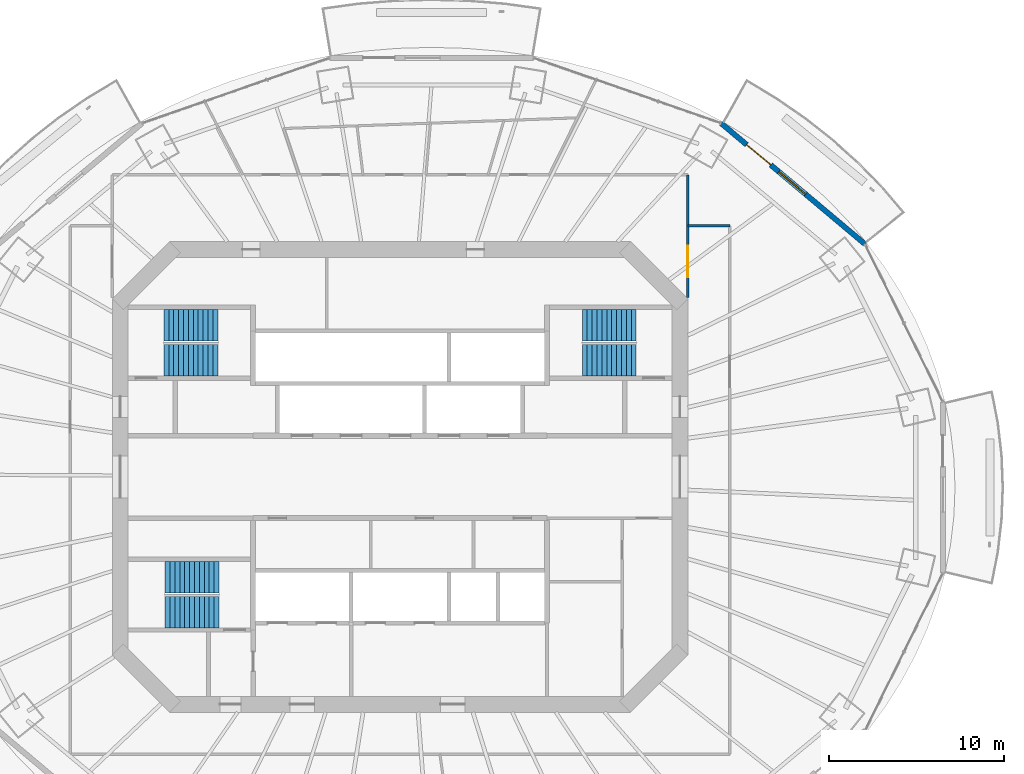
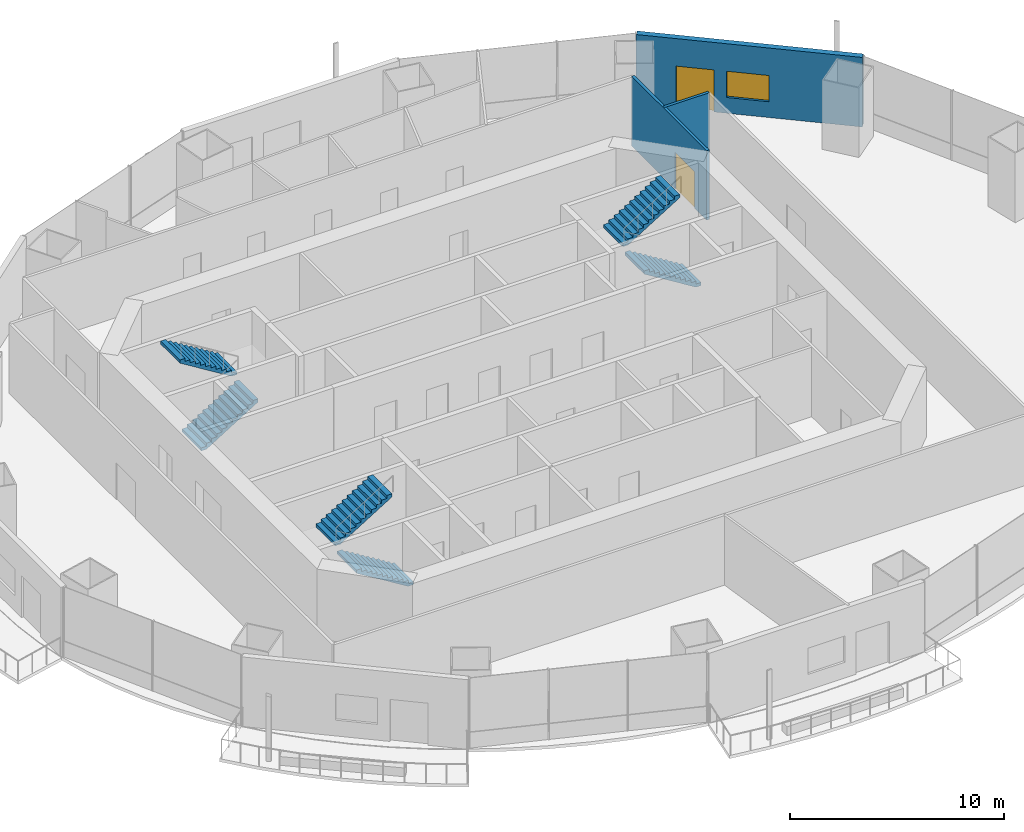
# One storey, part 13 of 19: 6 stair flights, 3 walls, 2 doors, 1 window, 3 openings, 3 elements without a shape of their own.
"""IFC4 building model written with IfcOpenShell, lengths in metres."""

from ifc_helpers import new_model, si_unit, direction, frame, frame_2d, origin, place, context, subcontext, project, spatial, polyline, rectangle, outline, extrude, material, layer, layer_set, type_object, element, fill, aggregate, save


model = new_model("IFC4")

# Units and contexts
model_context = context("Model", 3, precision=1e-05, world=origin(), true_north=direction((0.0, 1.0)))
body_context = subcontext(model_context, "Body", "Model", "MODEL_VIEW")
ifc_project = project(units=[si_unit("LENGTHUNIT", "METRE"), si_unit("AREAUNIT", "SQUARE_METRE"), si_unit("VOLUMEUNIT", "CUBIC_METRE"), si_unit("PLANEANGLEUNIT", "RADIAN"), si_unit("MASSUNIT", "GRAM", prefix="KILO")], contexts=[model_context])

# Site, building, storey
site_placement = place(None, origin())
site = spatial("IfcSite", under=ifc_project, at=site_placement, CompositionType="ELEMENT")
building_placement = place(site_placement, origin())
building = spatial("IfcBuilding", under=site, at=building_placement, Name="Marenthal Gate Tower", CompositionType="ELEMENT")
storey_placement = place(building_placement, frame((0.0, 0.0, 252.35009765625)))
storey = spatial("IfcBuildingStorey", under=building, at=storey_placement, Name="L56", CompositionType="ELEMENT", Elevation=252.35009765625)

# Wall, opening, door
ifc_material_1 = material(Name="Gypsum board on steel studs", Category="steel")
ifc_layer_1 = layer(ifc_material_1, 0.14990234375)
ifc_layer_set_1 = layer_set([ifc_layer_1], Name="Partition 150")
wall_type_1 = type_object("IfcWallType", Name="Partition 150", PredefinedType="PARTITIONING", material=ifc_layer_set_1)
wall_1_placement = place(storey_placement, frame((16.449951171875, 10.25, 0.0), z_axis=(0.0, 0.0, 1.0), x_axis=(0.0, 1.0, 0.0)))
wall_1 = element("IfcWall", 1, at=wall_1_placement, inside=storey, type_object=wall_type_1, Name="Partition wall 62", PredefinedType="PARTITIONING", context=body_context, shape_type="SweptSolid", body=[
    extrude(rectangle(XDim=7.017333984375, YDim=0.14990234375, at=frame_2d((3.5087890625, 0.0))), origin(), (0.0, 0.0, 1.0), 3.969970703125),
])
opening_1_placement = place(wall_1_placement, frame((1.153076171875, 0.0, 0.0)))
opening_1 = element("IfcOpeningElement", 2, at=opening_1_placement, cuts=wall_1, Name="Opening D014.04", PredefinedType="OPENING", context=body_context, shape_type="SweptSolid", body=[
    extrude(rectangle(XDim=1.800048828125, YDim=2.10009765625, at=frame_2d((0.89990234375, 1.050048828125))), frame((0.0, 0.0849609375, 0.0), z_axis=(0.0, -1.0, 0.0), x_axis=(1.0, 0.0, 0.0)), (0.0, 0.0, 1.0), 0.169921875),
])
ifc_material_2 = material(Name="Timber door", Category="wood")
door_type_1 = type_object("IfcDoorType", Name="Double door 1800 x 2100", OperationType="DOUBLE_DOOR_SINGLE_SWING", PredefinedType="DOOR", material=ifc_material_2)
door_1_placement = place(opening_1_placement, origin())
door_1 = element("IfcDoor", 3, at=door_1_placement, inside=storey, type_object=door_type_1, Name="Door D014.04", OperationType="DOUBLE_DOOR_SINGLE_SWING", OverallHeight=2.10009765625, OverallWidth=1.800048828125, PredefinedType="DOOR", context=body_context, shape_type="SweptSolid", body=[
    extrude(rectangle(XDim=1.800048828125, YDim=2.10009765625, at=frame_2d((0.89990234375, 1.050048828125))), frame((0.0, 0.02490234375, 0.0), z_axis=(0.0, -1.0, 0.0), x_axis=(1.0, 0.0, 0.0)), (0.0, 0.0, 1.0), 0.050048828125),
])
fill(opening_1, door_1)

# Wall
wall_2_placement = place(storey_placement, frame((16.449951171875, 14.357177734375, 0.0), z_axis=(0.0, 0.0, 1.0), x_axis=(1.0, 0.0, 0.0)))
element("IfcWall", 4, at=wall_2_placement, inside=storey, type_object=wall_type_1, Name="Partition wall 63", PredefinedType="PARTITIONING", context=body_context, shape_type="SweptSolid", body=[
    extrude(rectangle(XDim=2.400146484375, YDim=0.14990234375, at=frame_2d((1.2001953125, 0.0))), origin(), (0.0, 0.0, 1.0), 3.969970703125),
])

# Wall, openings, door, window
ifc_material_3 = material(Name="Terracotta cladding on insulated concrete-block backing", Category="masonry")
ifc_layer_2 = layer(ifc_material_3, 0.300048828125)
ifc_layer_set_2 = layer_set([ifc_layer_2], Name="Terracotta facade wall 300")
wall_type_2 = type_object("IfcWallType", Name="Terracotta facade wall 300", PredefinedType="SOLIDWALL", material=ifc_layer_set_2)
wall_3_placement = place(storey_placement, frame((26.580322265625, 13.30810546875, 0.0), z_axis=(0.0, 0.0, 1.0), x_axis=(-0.765707104139, 0.643189420522, 0.0)))
wall_3 = element("IfcWall", 5, at=wall_3_placement, inside=storey, type_object=wall_type_2, Name="Terracotta facade wall L56 bay 2", PredefinedType="SOLIDWALL", context=body_context, shape_type="SweptSolid", body=[
    extrude(rectangle(XDim=10.738525390625, YDim=0.300048828125, at=frame_2d((5.369140625, 0.0))), origin(), (0.0, 0.0, 1.0), 3.969970703125),
])
opening_2_placement = place(wall_3_placement, frame((7.03857421875, 0.0, 0.0)))
opening_2 = element("IfcOpeningElement", 6, at=opening_2_placement, cuts=wall_3, Name="Opening BD-L56-02", PredefinedType="OPENING", context=body_context, shape_type="SweptSolid", body=[
    extrude(rectangle(XDim=1.800048828125, YDim=2.39990234375, at=frame_2d((0.89990234375, 1.199951171875))), frame((0.0, 0.16015625, 0.0), z_axis=(0.0, -1.0, 0.0), x_axis=(1.0, 0.0, 0.0)), (0.0, 0.0, 1.0), 0.320068359375),
])
opening_3_placement = place(wall_3_placement, frame((4.4384765625, 0.0, 0.89990234375)))
opening_3 = element("IfcOpeningElement", 7, at=opening_3_placement, cuts=wall_3, Name="Opening WN2-L56-02", PredefinedType="OPENING", context=body_context, shape_type="SweptSolid", body=[
    extrude(rectangle(XDim=2.0, YDim=1.5, at=frame_2d((1.0, 0.75))), frame((0.0, 0.16015625, 0.0), z_axis=(0.0, -1.0, 0.0), x_axis=(1.0, 0.0, 0.0)), (0.0, 0.0, 1.0), 0.320068359375),
])
ifc_material_4 = material(Name="Aluminium and glass", Category="aluminium")
door_type_2 = type_object("IfcDoorType", Name="Balcony door 1800x2400", OperationType="DOUBLE_DOOR_SINGLE_SWING", PredefinedType="DOOR", material=ifc_material_4)
door_2_placement = place(opening_2_placement, origin())
door_2 = element("IfcDoor", 8, at=door_2_placement, inside=storey, type_object=door_type_2, Name="Balcony door L56 bay 2", OperationType="SINGLE_SWING_LEFT", OverallHeight=2.39990234375, OverallWidth=1.800048828125, PredefinedType="DOOR", context=body_context, shape_type="SweptSolid", body=[
    extrude(rectangle(XDim=1.800048828125, YDim=2.39990234375, at=frame_2d((0.89990234375, 1.199951171875))), frame((0.0, 0.02490234375, 0.0), z_axis=(0.0, -1.0, 0.0), x_axis=(1.0, 0.0, 0.0)), (0.0, 0.0, 1.0), 0.050048828125),
])
fill(opening_2, door_2)
ifc_material_5 = material(Name="Aluminium and glass", Category="aluminium")
window_type = type_object("IfcWindowType", Name="Window 2000x1500", PartitioningType="DOUBLE_PANEL_VERTICAL", PredefinedType="WINDOW", material=ifc_material_5)
window_placement = place(opening_3_placement, origin())
window = element("IfcWindow", 9, at=window_placement, inside=storey, type_object=window_type, Name="Window L56 bay 2", OverallHeight=1.5, OverallWidth=2.0, PartitioningType="SINGLE_PANEL", PredefinedType="WINDOW", context=body_context, shape_type="SweptSolid", body=[
    extrude(rectangle(XDim=2.0, YDim=1.5, at=frame_2d((1.0, 0.75))), frame((0.0, 0.030029296875, 0.0), z_axis=(0.0, -1.0, 0.0), x_axis=(1.0, 0.0, 0.0)), (0.0, 0.0, 1.0), 0.06005859375),
])
fill(opening_3, window)

# Stair, stair flights
ifc_material_6 = material(Name="Concrete 40 MPa", Category="concrete")
stair_type = type_object("IfcStairType", Name="Exit stair 1800", PredefinedType="HALF_TURN_STAIR", material=ifc_material_6)
stair_1_placement = place(storey_placement, origin())
stair_1 = element("IfcStair", 10, at=stair_1_placement, inside=storey, type_object=stair_type, Name="Stair ST1", PredefinedType="HALF_TURN_STAIR")
ifc_material_7 = material(Name="Concrete 40 MPa", Category="concrete")
stair_flight_type = type_object("IfcStairFlightType", Name="Stair flight 1800", PredefinedType="STRAIGHT", material=ifc_material_7)
stair_flight_1_placement = place(storey_placement, frame((-13.5, 6.675048828125, 0.0), z_axis=(0.0, 0.0, 1.0), x_axis=(1.0, 0.0, 0.0)))
stair_flight_1 = element("IfcStairFlight", 11, at=stair_flight_1_placement, type_object=stair_flight_type, Name="ST1 flight 1", NumberOfRisers=12, NumberOfTreads=11, PredefinedType="STRAIGHT", RiserHeight=0.172916667, TreadLength=0.28, context=body_context, shape_type="SweptSolid", body=[
    extrude(outline(polyline([(0.0, 0.0), (0.0, 0.1728515625), (0.280029296875, 0.1728515625), (0.280029296875, 0.345947265625), (0.56005859375, 0.345947265625), (0.56005859375, 0.518798828125), (0.840087890625, 0.518798828125), (0.840087890625, 0.691650390625), (1.1201171875, 0.691650390625), (1.1201171875, 0.864501953125), (1.39990234375, 0.864501953125), (1.39990234375, 1.03759765625), (1.679931640625, 1.03759765625), (1.679931640625, 1.21044921875), (1.9599609375, 1.21044921875), (1.9599609375, 1.38330078125), (2.239990234375, 1.38330078125), (2.239990234375, 1.55615234375), (2.52001953125, 1.55615234375), (2.52001953125, 1.729248046875), (2.800048828125, 1.729248046875), (2.800048828125, 1.902099609375), (3.080078125, 1.902099609375), (3.080078125, 2.074951171875), (3.080078125, 1.725830078125), (0.285400390625, 0.0), (0.0, 0.0)])), frame((0.0, 0.89990234375, 0.0), z_axis=(0.0, -1.0, 0.0), x_axis=(1.0, 0.0, 0.0)), (0.0, 0.0, 1.0), 1.800048828125),
])
stair_flight_2_placement = place(storey_placement, frame((-10.419921875, 8.675048828125, 2.074951171875), z_axis=(0.0, 0.0, 1.0), x_axis=(-1.0, 0.0, 0.0)))
stair_flight_2 = element("IfcStairFlight", 12, at=stair_flight_2_placement, type_object=stair_flight_type, Name="ST1 flight 2", NumberOfRisers=12, NumberOfTreads=11, PredefinedType="STRAIGHT", RiserHeight=0.172916667, TreadLength=0.28, context=body_context, shape_type="SweptSolid", body=[
    extrude(outline(polyline([(0.0, 0.0), (0.0, 0.1728515625), (0.280029296875, 0.1728515625), (0.280029296875, 0.345947265625), (0.56005859375, 0.345947265625), (0.56005859375, 0.518798828125), (0.840087890625, 0.518798828125), (0.840087890625, 0.691650390625), (1.1201171875, 0.691650390625), (1.1201171875, 0.864501953125), (1.39990234375, 0.864501953125), (1.39990234375, 1.03759765625), (1.679931640625, 1.03759765625), (1.679931640625, 1.21044921875), (1.9599609375, 1.21044921875), (1.9599609375, 1.38330078125), (2.239990234375, 1.38330078125), (2.239990234375, 1.55615234375), (2.52001953125, 1.55615234375), (2.52001953125, 1.729248046875), (2.800048828125, 1.729248046875), (2.800048828125, 1.902099609375), (3.080078125, 1.902099609375), (3.080078125, 2.074951171875), (3.080078125, 1.725830078125), (0.285400390625, 0.0), (0.0, 0.0)])), frame((0.0, 0.89990234375, 0.0), z_axis=(0.0, -1.0, 0.0), x_axis=(1.0, 0.0, 0.0)), (0.0, 0.0, 1.0), 1.800048828125),
])
aggregate(stair_1, [stair_flight_1, stair_flight_2])

stair_2_placement = place(storey_placement, origin())
stair_2 = element("IfcStair", 13, at=stair_2_placement, inside=storey, type_object=stair_type, Name="Stair ST2", PredefinedType="HALF_TURN_STAIR")
stair_flight_3_placement = place(storey_placement, frame((-10.35009765625, -7.72509765625, 0.0), z_axis=(0.0, 0.0, 1.0), x_axis=(-1.0, 0.0, 0.0)))
stair_flight_3 = element("IfcStairFlight", 14, at=stair_flight_3_placement, type_object=stair_flight_type, Name="ST2 flight 1", NumberOfRisers=12, NumberOfTreads=11, PredefinedType="STRAIGHT", RiserHeight=0.172916667, TreadLength=0.28, context=body_context, shape_type="SweptSolid", body=[
    extrude(outline(polyline([(0.0, 0.0), (0.0, 0.1728515625), (0.280029296875, 0.1728515625), (0.280029296875, 0.345947265625), (0.56005859375, 0.345947265625), (0.56005859375, 0.518798828125), (0.840087890625, 0.518798828125), (0.840087890625, 0.691650390625), (1.1201171875, 0.691650390625), (1.1201171875, 0.864501953125), (1.39990234375, 0.864501953125), (1.39990234375, 1.03759765625), (1.679931640625, 1.03759765625), (1.679931640625, 1.21044921875), (1.9599609375, 1.21044921875), (1.9599609375, 1.38330078125), (2.239990234375, 1.38330078125), (2.239990234375, 1.55615234375), (2.52001953125, 1.55615234375), (2.52001953125, 1.729248046875), (2.800048828125, 1.729248046875), (2.800048828125, 1.902099609375), (3.080078125, 1.902099609375), (3.080078125, 2.074951171875), (3.080078125, 1.725830078125), (0.285400390625, 0.0), (0.0, 0.0)])), frame((0.0, 0.89990234375, 0.0), z_axis=(0.0, -1.0, 0.0), x_axis=(1.0, 0.0, 0.0)), (0.0, 0.0, 1.0), 1.800048828125),
])
stair_flight_4_placement = place(storey_placement, frame((-13.429931640625, -5.72509765625, 2.074951171875), z_axis=(0.0, 0.0, 1.0), x_axis=(1.0, 0.0, 0.0)))
stair_flight_4 = element("IfcStairFlight", 15, at=stair_flight_4_placement, type_object=stair_flight_type, Name="ST2 flight 2", NumberOfRisers=12, NumberOfTreads=11, PredefinedType="STRAIGHT", RiserHeight=0.172916667, TreadLength=0.28, context=body_context, shape_type="SweptSolid", body=[
    extrude(outline(polyline([(0.0, 0.0), (0.0, 0.1728515625), (0.280029296875, 0.1728515625), (0.280029296875, 0.345947265625), (0.56005859375, 0.345947265625), (0.56005859375, 0.518798828125), (0.840087890625, 0.518798828125), (0.840087890625, 0.691650390625), (1.1201171875, 0.691650390625), (1.1201171875, 0.864501953125), (1.39990234375, 0.864501953125), (1.39990234375, 1.03759765625), (1.679931640625, 1.03759765625), (1.679931640625, 1.21044921875), (1.9599609375, 1.21044921875), (1.9599609375, 1.38330078125), (2.239990234375, 1.38330078125), (2.239990234375, 1.55615234375), (2.52001953125, 1.55615234375), (2.52001953125, 1.729248046875), (2.800048828125, 1.729248046875), (2.800048828125, 1.902099609375), (3.080078125, 1.902099609375), (3.080078125, 2.074951171875), (3.080078125, 1.725830078125), (0.285400390625, 0.0), (0.0, 0.0)])), frame((0.0, 0.89990234375, 0.0), z_axis=(0.0, -1.0, 0.0), x_axis=(1.0, 0.0, 0.0)), (0.0, 0.0, 1.0), 1.800048828125),
])
aggregate(stair_2, [stair_flight_3, stair_flight_4])

stair_3_placement = place(storey_placement, origin())
stair_3 = element("IfcStair", 16, at=stair_3_placement, inside=storey, type_object=stair_type, Name="Stair ST3", PredefinedType="HALF_TURN_STAIR")
stair_flight_5_placement = place(storey_placement, frame((13.5, 6.675048828125, 0.0), z_axis=(0.0, 0.0, 1.0), x_axis=(-1.0, 0.0, 0.0)))
stair_flight_5 = element("IfcStairFlight", 17, at=stair_flight_5_placement, type_object=stair_flight_type, Name="ST3 flight 1", NumberOfRisers=12, NumberOfTreads=11, PredefinedType="STRAIGHT", RiserHeight=0.172916667, TreadLength=0.28, context=body_context, shape_type="SweptSolid", body=[
    extrude(outline(polyline([(0.0, 0.0), (0.0, 0.1728515625), (0.280029296875, 0.1728515625), (0.280029296875, 0.345947265625), (0.56005859375, 0.345947265625), (0.56005859375, 0.518798828125), (0.840087890625, 0.518798828125), (0.840087890625, 0.691650390625), (1.1201171875, 0.691650390625), (1.1201171875, 0.864501953125), (1.39990234375, 0.864501953125), (1.39990234375, 1.03759765625), (1.679931640625, 1.03759765625), (1.679931640625, 1.21044921875), (1.9599609375, 1.21044921875), (1.9599609375, 1.38330078125), (2.239990234375, 1.38330078125), (2.239990234375, 1.55615234375), (2.52001953125, 1.55615234375), (2.52001953125, 1.729248046875), (2.800048828125, 1.729248046875), (2.800048828125, 1.902099609375), (3.080078125, 1.902099609375), (3.080078125, 2.074951171875), (3.080078125, 1.725830078125), (0.285400390625, 0.0), (0.0, 0.0)])), frame((0.0, 0.89990234375, 0.0), z_axis=(0.0, -1.0, 0.0), x_axis=(1.0, 0.0, 0.0)), (0.0, 0.0, 1.0), 1.800048828125),
])
stair_flight_6_placement = place(storey_placement, frame((10.419921875, 8.675048828125, 2.074951171875), z_axis=(0.0, 0.0, 1.0), x_axis=(1.0, 0.0, 0.0)))
stair_flight_6 = element("IfcStairFlight", 18, at=stair_flight_6_placement, type_object=stair_flight_type, Name="ST3 flight 2", NumberOfRisers=12, NumberOfTreads=11, PredefinedType="STRAIGHT", RiserHeight=0.172916667, TreadLength=0.28, context=body_context, shape_type="SweptSolid", body=[
    extrude(outline(polyline([(0.0, 0.0), (0.0, 0.1728515625), (0.280029296875, 0.1728515625), (0.280029296875, 0.345947265625), (0.56005859375, 0.345947265625), (0.56005859375, 0.518798828125), (0.840087890625, 0.518798828125), (0.840087890625, 0.691650390625), (1.1201171875, 0.691650390625), (1.1201171875, 0.864501953125), (1.39990234375, 0.864501953125), (1.39990234375, 1.03759765625), (1.679931640625, 1.03759765625), (1.679931640625, 1.21044921875), (1.9599609375, 1.21044921875), (1.9599609375, 1.38330078125), (2.239990234375, 1.38330078125), (2.239990234375, 1.55615234375), (2.52001953125, 1.55615234375), (2.52001953125, 1.729248046875), (2.800048828125, 1.729248046875), (2.800048828125, 1.902099609375), (3.080078125, 1.902099609375), (3.080078125, 2.074951171875), (3.080078125, 1.725830078125), (0.285400390625, 0.0), (0.0, 0.0)])), frame((0.0, 0.89990234375, 0.0), z_axis=(0.0, -1.0, 0.0), x_axis=(1.0, 0.0, 0.0)), (0.0, 0.0, 1.0), 1.800048828125),
])
aggregate(stair_3, [stair_flight_5, stair_flight_6])

save(model, "model.ifc")
